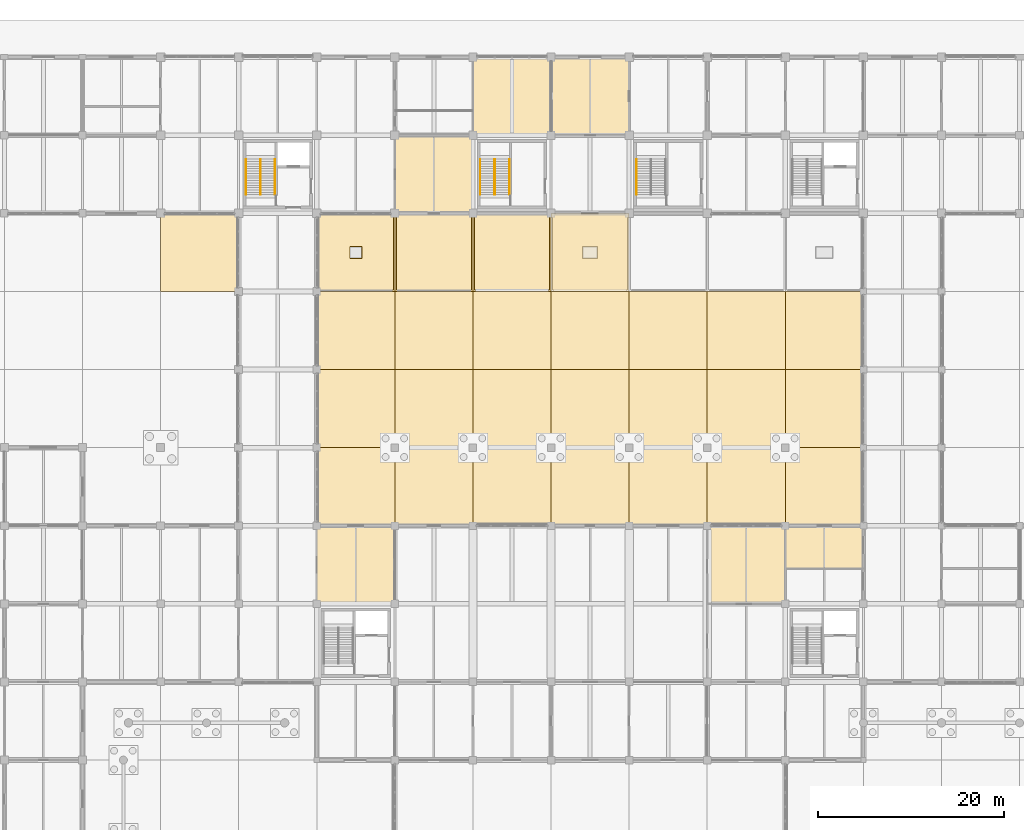
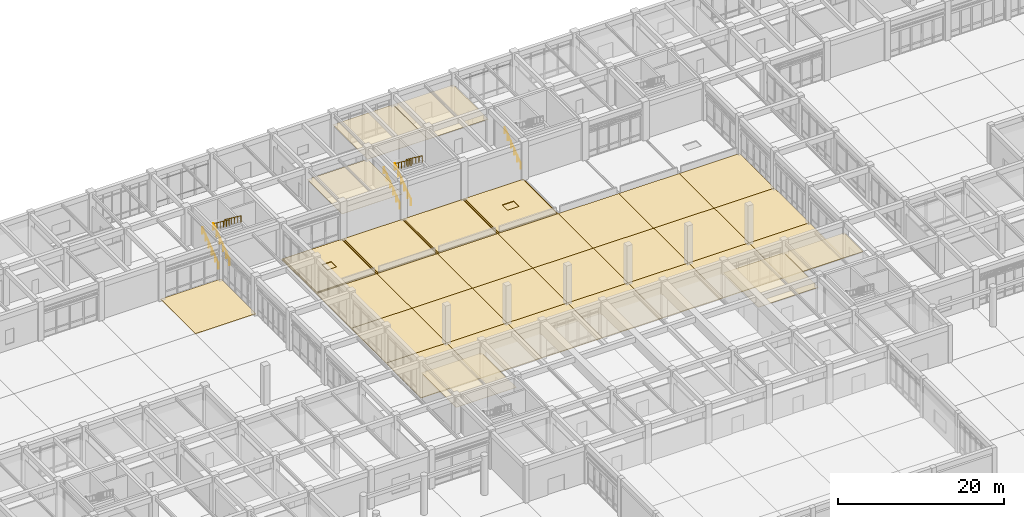
# One storey, part 88 of 91: 36 coverings, 9 railings.
"""IFC4 building model written with IfcOpenShell, lengths in metres."""

import ifcopenshell
import ifcopenshell.guid

model = None  # the IFC model being written
_history = None  # IfcOwnerHistory: only IFC2X3 demands one
_inside = {}  # id of a spatial element -> (the spatial element, [elements in it])
_under = {}  # id of a project, library or spatial element -> (it, [spatial elements below it])
_declared = {}  # id of a project -> (the project, [libraries it declares])
_typed = {}  # id of a type object -> (the type object, [elements of that type])
_made_of = {}  # id of a material, layer set ... -> (it, [elements and type objects made of it])


def new_model(schema):
    """Start an empty IFC model of exactly this schema.

    Asked for "IFC4X3", IfcOpenShell would pick the latest addendum, in which some entities
    have other attributes; the version numbers below select the first issue.
    IFC2X3 requires an IfcOwnerHistory on every rooted entity: one is made here for all.
    """
    global model, _history
    if schema == "IFC4X3":
        model = ifcopenshell.file(schema_version=(4, 3, 0, 0))
    else:
        model = ifcopenshell.file(schema=schema)
    _inside.clear()
    _under.clear()
    _declared.clear()
    _typed.clear()
    _made_of.clear()
    _history = None
    if model.schema == "IFC2X3":
        org = make("IfcOrganization", Name="unknown")
        user = make(
            "IfcPersonAndOrganization",
            ThePerson=make("IfcPerson", FamilyName="unknown"),
            TheOrganization=org,
        )
        app = make(
            "IfcApplication",
            ApplicationDeveloper=org,
            Version="unknown",
            ApplicationFullName="unknown",
            ApplicationIdentifier="unknown",
        )
        _history = make(
            "IfcOwnerHistory",
            OwningUser=user,
            OwningApplication=app,
            ChangeAction="ADDED",
            CreationDate=0,
        )
    return model


def make(cls, **values):
    """One entity of the class cls with the attributes given. An attribute that is None is left unset."""
    return model.create_entity(
        cls, **{name: value for name, value in values.items() if value is not None}
    )


def rooted(cls, **values):
    """An entity with a GlobalId (a new one), such as an element, a storey or a relation."""
    return make(cls, GlobalId=ifcopenshell.guid.new(), OwnerHistory=_history, **values)


def si_unit(unit_type, name, prefix=None):
    """IfcSIUnit, for example si_unit("LENGTHUNIT", "METRE", prefix="MILLI")."""
    return make("IfcSIUnit", UnitType=unit_type, Prefix=prefix, Name=name)


def assignment(units):
    """IfcUnitAssignment: the units of a project."""
    return None if units is None else make("IfcUnitAssignment", Units=units)


def point(xyz):
    """IfcCartesianPoint."""
    return None if xyz is None else make("IfcCartesianPoint", Coordinates=xyz)


def direction(xyz):
    """IfcDirection."""
    return None if xyz is None else make("IfcDirection", DirectionRatios=xyz)


def frame(location, z_axis=None, x_axis=None):
    """IfcAxis2Placement3D, a coordinate frame: its origin and axes. An axis left out is left unset."""
    return make(
        "IfcAxis2Placement3D",
        Location=point(location),
        Axis=direction(z_axis),
        RefDirection=direction(x_axis),
    )


def frame_2d(location, x_axis=None):
    """IfcAxis2Placement2D, a coordinate frame in the plane: its origin and x axis."""
    return make(
        "IfcAxis2Placement2D", Location=point(location), RefDirection=direction(x_axis)
    )


def origin():
    """The frame at (0, 0, 0) with its axes left unset."""
    return frame((0.0, 0.0, 0.0))


def origin_2d():
    """The frame at (0, 0) in the plane with its x axis left unset."""
    return frame_2d((0.0, 0.0))


def place(relative_to, where):
    """IfcLocalPlacement: puts the frame where relative to a parent placement (None: the world)."""
    return make(
        "IfcLocalPlacement", PlacementRelTo=relative_to, RelativePlacement=where
    )


def context(
    kind, dimensions, precision=None, world=None, true_north=None, identifier=None
):
    """IfcGeometricRepresentationContext, for example the 3D "Model" context."""
    return make(
        "IfcGeometricRepresentationContext",
        ContextIdentifier=identifier,
        ContextType=kind,
        CoordinateSpaceDimension=dimensions,
        Precision=precision,
        WorldCoordinateSystem=world,
        TrueNorth=true_north,
    )


def subcontext(parent, identifier, kind, view, scale=None):
    """IfcGeometricRepresentationSubContext, for example "Body" below "Model"."""
    return make(
        "IfcGeometricRepresentationSubContext",
        ContextIdentifier=identifier,
        ContextType=kind,
        ParentContext=parent,
        TargetScale=scale,
        TargetView=view,
    )


def project(units=None, contexts=None):
    """IfcProject with its units and contexts."""
    return rooted(
        "IfcProject",
        Name="project",
        RepresentationContexts=contexts,
        UnitsInContext=assignment(units),
    )


def spatial(cls, under=None, at=None, **own):
    """A site, building, storey or space (cls), placed at a placement, below another one or the project."""
    s = rooted(cls, ObjectPlacement=at, **own)
    if under is not None:
        _under.setdefault(under.id(), (under, []))[1].append(s)
    return s


def polyline(points):
    """IfcPolyline through the points."""
    return make("IfcPolyline", Points=[point(p) for p in points])


def profile(cls, at=None, kind="AREA", **sizes):
    """A parametric profile (cls). Its sizes go by their IFC names, for example OverallWidth=200.0."""
    return make(cls, ProfileType=kind, Position=at, **sizes)


def circle(**sizes):
    """IfcCircleProfileDef."""
    return profile("IfcCircleProfileDef", **sizes)


def outline(outer, holes=None, kind="AREA"):
    """IfcArbitraryClosedProfileDef: a profile drawn as a closed curve; with holes, ...WithVoids."""
    if holes is None:
        return make("IfcArbitraryClosedProfileDef", ProfileType=kind, OuterCurve=outer)
    return make(
        "IfcArbitraryProfileDefWithVoids",
        ProfileType=kind,
        OuterCurve=outer,
        InnerCurves=holes,
    )


def extrude(swept, where, along, depth):
    """IfcExtrudedAreaSolid: the profile swept, set in the frame where, extruded along a direction by depth."""
    return make(
        "IfcExtrudedAreaSolid",
        SweptArea=swept,
        Position=where,
        ExtrudedDirection=direction(along),
        Depth=depth,
    )


def shape(context_of_items, identifier, shape_type, items):
    """IfcShapeRepresentation: the items that make up one representation, for example the "Body"."""
    return make(
        "IfcShapeRepresentation",
        ContextOfItems=context_of_items,
        RepresentationIdentifier=identifier,
        RepresentationType=shape_type,
        Items=items,
    )


def material(Name=None, Category=None):
    """IfcMaterial."""
    return make("IfcMaterial", Name=Name, Category=Category)


def layer(
    of_material, thickness, ventilated=None, Name=None, Category=None, Priority=None
):
    """IfcMaterialLayer: one layer of a wall or slab, of a material (None: an air gap)."""
    return make(
        "IfcMaterialLayer",
        Material=of_material,
        LayerThickness=thickness,
        IsVentilated=ventilated,
        Name=Name,
        Category=Category,
        Priority=Priority,
    )


def layer_set(layers, Name=None):
    """IfcMaterialLayerSet."""
    return make("IfcMaterialLayerSet", MaterialLayers=layers, LayerSetName=Name)


def made_of(thing, what):
    """Note that an element or type object is made of a material, layer set ...; save() writes the relation."""
    if what is not None:
        _made_of.setdefault(what.id(), (what, []))[1].append(thing)
    return thing


def type_object(cls, material=None, **own):
    """A type object (cls), such as IfcWallType, which elements share."""
    return made_of(rooted(cls, **own), material)


def element(
    cls,
    number,
    at=None,
    inside=None,
    cuts=None,
    type_object=None,
    material=None,
    context=None,
    identifier="Body",
    shape_type=None,
    held_by="IfcProductDefinitionShape",
    body=None,
    shapes=None,
    **own,
):
    """One element of the class cls, such as IfcWall. Its Tag is "e" and its number.

    at: its placement. inside: the storey or other place that contains it. cuts: it is an
    opening in that element (IfcRelVoidsElement). A single representation is given by context,
    identifier, shape_type and body (its items); several are given by shapes. held_by: the class
    of the entity that holds the representations. save() writes the other relations.
    """
    e = rooted(cls, Tag="e%d" % number, ObjectPlacement=at, **own)
    if body is not None:
        shapes = [shape(context, identifier, shape_type, body)]
    if shapes is not None:
        e.Representation = make(held_by, Representations=shapes)
    if inside is not None:
        _inside.setdefault(inside.id(), (inside, []))[1].append(e)
    if cuts is not None:
        rooted(
            "IfcRelVoidsElement", RelatingBuildingElement=cuts, RelatedOpeningElement=e
        )
    if type_object is not None:
        _typed.setdefault(type_object.id(), (type_object, []))[1].append(e)
    return made_of(e, material)


def aggregate(whole, parts):
    """IfcRelAggregates: a whole, such as a stair, and the parts it consists of."""
    return rooted("IfcRelAggregates", RelatingObject=whole, RelatedObjects=parts)


def save(model, path):
    """Write the relations noted so far, then the file.

    IfcRelAggregates (storeys below a building ...), IfcRelContainedInSpatialStructure (elements
    in a storey), IfcRelDefinesByType, IfcRelAssociatesMaterial and IfcRelDeclares: one each for
    every whole, place, type object, material and project.
    """
    for whole, parts in _under.values():
        aggregate(whole, parts)
    for where, things in _inside.values():
        rooted(
            "IfcRelContainedInSpatialStructure",
            RelatedElements=things,
            RelatingStructure=where,
        )
    for kind, things in _typed.values():
        rooted("IfcRelDefinesByType", RelatedObjects=things, RelatingType=kind)
    for what, things in _made_of.values():
        rooted("IfcRelAssociatesMaterial", RelatedObjects=things, RelatingMaterial=what)
    for by, libraries in _declared.values():
        rooted("IfcRelDeclares", RelatingContext=by, RelatedDefinitions=libraries)
    model.write(path)


model = new_model("IFC4")

# Units and contexts
model_context = context("Model", 3, precision=1e-05, world=origin(), true_north=direction((0.0, 1.0)))
body_context = subcontext(model_context, "Body", "Model", "MODEL_VIEW")
ifc_project = project(units=[si_unit("LENGTHUNIT", "METRE"), si_unit("AREAUNIT", "SQUARE_METRE"), si_unit("VOLUMEUNIT", "CUBIC_METRE"), si_unit("PLANEANGLEUNIT", "RADIAN"), si_unit("MASSUNIT", "GRAM", prefix="KILO")], contexts=[model_context])

# Site, building, storey
site_placement = place(None, origin())
site = spatial("IfcSite", under=ifc_project, at=site_placement, CompositionType="ELEMENT")
building_placement = place(site_placement, origin())
building = spatial("IfcBuilding", under=site, at=building_placement, Name="Porcellanite Civic Hall", CompositionType="ELEMENT")
storey_placement = place(building_placement, origin())
storey = spatial("IfcBuildingStorey", under=building, at=storey_placement, Name="L00", CompositionType="ELEMENT", Elevation=0.0)

# Coverings
ifc_material_1 = material(Name="Perforated acoustic mineral-fibre and spotted-gum batten ceiling")
ifc_layer_1 = layer(ifc_material_1, 0.044921875)
ifc_layer_set_1 = layer_set([ifc_layer_1], Name="Perforated acoustic mineral-fibre and spotted-gum batten ceiling")
covering_type_1 = type_object("IfcCoveringType", Name="COV-CL3", PredefinedType="CEILING", material=ifc_layer_set_1)
covering_1_placement = place(storey_placement, frame((0.0, 0.0, 3.614990234375)))
element("IfcCovering", 1, at=covering_1_placement, inside=storey, type_object=covering_type_1, Name="Acoustic ceiling Rates Assessment Office L00-B", PredefinedType="CEILING", context=body_context, shape_type="SweptSolid", body=[
    extrude(outline(polyline([(109.2099609375, 62.610107421875), (117.590087890625, 62.610107421875), (117.590087890625, 67.18994140625), (109.2099609375, 67.18994140625), (109.2099609375, 62.610107421875)])), origin(), (0.0, 0.0, 1.0), 0.044921875),
])
covering_2_placement = place(storey_placement, frame((0.0, 0.0, 3.614990234375)))
element("IfcCovering", 2, at=covering_2_placement, inside=storey, type_object=covering_type_1, Name="Acoustic ceiling Civic Outreach Office L00-43", PredefinedType="CEILING", context=body_context, shape_type="SweptSolid", body=[
    extrude(outline(polyline([(58.81005859375, 58.81005859375), (67.18994140625, 58.81005859375), (67.18994140625, 67.18994140625), (58.81005859375, 67.18994140625), (58.81005859375, 58.81005859375)])), origin(), (0.0, 0.0, 1.0), 0.044921875),
])
covering_3_placement = place(storey_placement, frame((0.0, 0.0, 3.614990234375)))
element("IfcCovering", 3, at=covering_3_placement, inside=storey, type_object=covering_type_1, Name="Acoustic ceiling City Ranger Operations L00-47", PredefinedType="CEILING", context=body_context, shape_type="SweptSolid", body=[
    extrude(outline(polyline([(67.2099609375, 100.81005859375), (75.590087890625, 100.81005859375), (75.590087890625, 109.18994140625), (67.2099609375, 109.18994140625), (67.2099609375, 100.81005859375)])), origin(), (0.0, 0.0, 1.0), 0.044921875),
])
covering_4_placement = place(storey_placement, frame((0.0, 0.0, 3.614990234375)))
element("IfcCovering", 4, at=covering_4_placement, inside=storey, type_object=covering_type_1, Name="Acoustic ceiling Community Grants Office L00-49", PredefinedType="CEILING", context=body_context, shape_type="SweptSolid", body=[
    extrude(outline(polyline([(75.610107421875, 109.2099609375), (83.989990234375, 109.2099609375), (83.989990234375, 117.590087890625), (75.610107421875, 117.590087890625), (75.610107421875, 109.2099609375)])), origin(), (0.0, 0.0, 1.0), 0.044921875),
])
covering_5_placement = place(storey_placement, frame((0.0, 0.0, 3.614990234375)))
element("IfcCovering", 5, at=covering_5_placement, inside=storey, type_object=covering_type_1, Name="Acoustic ceiling City Ranger Operations L00-52", PredefinedType="CEILING", context=body_context, shape_type="SweptSolid", body=[
    extrude(outline(polyline([(84.010009765625, 109.2099609375), (92.389892578125, 109.2099609375), (92.389892578125, 117.590087890625), (84.010009765625, 117.590087890625), (84.010009765625, 109.2099609375)])), origin(), (0.0, 0.0, 1.0), 0.044921875),
])
covering_6_placement = place(storey_placement, frame((0.0, 0.0, 3.614990234375)))
element("IfcCovering", 6, at=covering_6_placement, inside=storey, type_object=covering_type_1, Name="Acoustic ceiling Civic Registry Office L00-57", PredefinedType="CEILING", context=body_context, shape_type="SweptSolid", body=[
    extrude(outline(polyline([(100.81005859375, 58.81005859375), (109.18994140625, 58.81005859375), (109.18994140625, 67.18994140625), (100.81005859375, 67.18994140625), (100.81005859375, 58.81005859375)])), origin(), (0.0, 0.0, 1.0), 0.044921875),
])
ifc_material_2 = material(Name="Darwin porcellanite stone paving", Category="masonry")
ifc_layer_2 = layer(ifc_material_2, 0.10009765625)
ifc_layer_set_2 = layer_set([ifc_layer_2], Name="Darwin porcellanite stone paving")
covering_type_2 = type_object("IfcCoveringType", Name="COV-PAV100", PredefinedType="USERDEFINED", material=ifc_layer_set_2)
covering_7_placement = place(storey_placement, frame((0.0, 0.0, -0.10009765625)))
element("IfcCovering", 7, at=covering_7_placement, inside=storey, type_object=covering_type_2, Name="Porcellanite Square paving 6-12", ObjectType="PAVING", PredefinedType="USERDEFINED", context=body_context, shape_type="SweptSolid", body=[
    extrude(outline(polyline([(42.0, 92.39990234375), (50.39990234375, 92.39990234375), (50.39990234375, 100.800048828125), (42.0, 100.800048828125), (42.0, 92.39990234375)])), origin(), (0.0, 0.0, 1.0), 0.10009765625),
])
covering_8_placement = place(storey_placement, frame((0.0, 0.0, -0.10009765625)))
element("IfcCovering", 8, at=covering_8_placement, inside=storey, type_object=covering_type_2, Name="Porcellanite Square paving 8-9", ObjectType="PAVING", PredefinedType="USERDEFINED", context=body_context, shape_type="SweptSolid", body=[
    extrude(outline(polyline([(58.800048828125, 67.199951171875), (67.199951171875, 67.199951171875), (67.199951171875, 75.60009765625), (58.800048828125, 75.60009765625), (58.800048828125, 67.199951171875)])), origin(), (0.0, 0.0, 1.0), 0.10009765625),
])
covering_9_placement = place(storey_placement, frame((0.0, 0.0, -0.10009765625)))
element("IfcCovering", 9, at=covering_9_placement, inside=storey, type_object=covering_type_2, Name="Porcellanite Square paving 8-10", ObjectType="PAVING", PredefinedType="USERDEFINED", context=body_context, shape_type="SweptSolid", body=[
    extrude(outline(polyline([(58.800048828125, 75.60009765625), (67.199951171875, 75.60009765625), (67.199951171875, 84.0), (58.800048828125, 84.0), (58.800048828125, 75.60009765625)])), origin(), (0.0, 0.0, 1.0), 0.10009765625),
])
covering_10_placement = place(storey_placement, frame((0.0, 0.0, -0.10009765625)))
element("IfcCovering", 10, at=covering_10_placement, inside=storey, type_object=covering_type_2, Name="Porcellanite Square paving 8-11", ObjectType="PAVING", PredefinedType="USERDEFINED", context=body_context, shape_type="SweptSolid", body=[
    extrude(outline(polyline([(58.800048828125, 84.0), (67.199951171875, 84.0), (67.199951171875, 92.39990234375), (58.800048828125, 92.39990234375), (58.800048828125, 84.0)])), origin(), (0.0, 0.0, 1.0), 0.10009765625),
])
covering_11_placement = place(storey_placement, frame((0.0, 0.0, -0.10009765625)))
element("IfcCovering", 11, at=covering_11_placement, inside=storey, type_object=covering_type_2, Name="Porcellanite Square paving 8-12", ObjectType="PAVING", PredefinedType="USERDEFINED", context=body_context, shape_type="SweptSolid", body=[
    extrude(outline(polyline([(58.800048828125, 92.39990234375), (67.199951171875, 92.39990234375), (67.199951171875, 100.800048828125), (58.800048828125, 100.800048828125), (58.800048828125, 92.39990234375)])), origin(), (0.0, 0.0, 1.0), 0.10009765625),
])
covering_12_placement = place(storey_placement, frame((0.0, 0.0, -0.10009765625)))
element("IfcCovering", 12, at=covering_12_placement, inside=storey, type_object=covering_type_2, Name="Porcellanite Square paving 9-9", ObjectType="PAVING", PredefinedType="USERDEFINED", context=body_context, shape_type="SweptSolid", body=[
    extrude(outline(polyline([(67.199951171875, 67.199951171875), (75.60009765625, 67.199951171875), (75.60009765625, 75.60009765625), (67.199951171875, 75.60009765625), (67.199951171875, 67.199951171875)])), origin(), (0.0, 0.0, 1.0), 0.10009765625),
])
covering_13_placement = place(storey_placement, frame((0.0, 0.0, -0.10009765625)))
element("IfcCovering", 13, at=covering_13_placement, inside=storey, type_object=covering_type_2, Name="Porcellanite Square paving 9-10", ObjectType="PAVING", PredefinedType="USERDEFINED", context=body_context, shape_type="SweptSolid", body=[
    extrude(outline(polyline([(67.199951171875, 75.60009765625), (75.60009765625, 75.60009765625), (75.60009765625, 84.0), (67.199951171875, 84.0), (67.199951171875, 75.60009765625)])), origin(), (0.0, 0.0, 1.0), 0.10009765625),
])
covering_14_placement = place(storey_placement, frame((0.0, 0.0, -0.10009765625)))
element("IfcCovering", 14, at=covering_14_placement, inside=storey, type_object=covering_type_2, Name="Porcellanite Square paving 9-11", ObjectType="PAVING", PredefinedType="USERDEFINED", context=body_context, shape_type="SweptSolid", body=[
    extrude(outline(polyline([(67.199951171875, 84.0), (75.60009765625, 84.0), (75.60009765625, 92.39990234375), (67.199951171875, 92.39990234375), (67.199951171875, 84.0)])), origin(), (0.0, 0.0, 1.0), 0.10009765625),
])
covering_15_placement = place(storey_placement, frame((0.0, 0.0, -0.10009765625)))
element("IfcCovering", 15, at=covering_15_placement, inside=storey, type_object=covering_type_2, Name="Porcellanite Square paving 9-12", ObjectType="PAVING", PredefinedType="USERDEFINED", context=body_context, shape_type="SweptSolid", body=[
    extrude(outline(polyline([(67.199951171875, 92.39990234375), (75.60009765625, 92.39990234375), (75.60009765625, 100.800048828125), (67.199951171875, 100.800048828125), (67.199951171875, 92.39990234375)])), origin(), (0.0, 0.0, 1.0), 0.10009765625),
])
covering_16_placement = place(storey_placement, frame((0.0, 0.0, -0.10009765625)))
element("IfcCovering", 16, at=covering_16_placement, inside=storey, type_object=covering_type_2, Name="Porcellanite Square paving 10-9", ObjectType="PAVING", PredefinedType="USERDEFINED", context=body_context, shape_type="SweptSolid", body=[
    extrude(outline(polyline([(75.60009765625, 67.199951171875), (84.0, 67.199951171875), (84.0, 75.60009765625), (75.60009765625, 75.60009765625), (75.60009765625, 67.199951171875)])), origin(), (0.0, 0.0, 1.0), 0.10009765625),
])
covering_17_placement = place(storey_placement, frame((0.0, 0.0, -0.10009765625)))
element("IfcCovering", 17, at=covering_17_placement, inside=storey, type_object=covering_type_2, Name="Porcellanite Square paving 10-10", ObjectType="PAVING", PredefinedType="USERDEFINED", context=body_context, shape_type="SweptSolid", body=[
    extrude(outline(polyline([(75.60009765625, 75.60009765625), (84.0, 75.60009765625), (84.0, 84.0), (75.60009765625, 84.0), (75.60009765625, 75.60009765625)])), origin(), (0.0, 0.0, 1.0), 0.10009765625),
])
covering_18_placement = place(storey_placement, frame((0.0, 0.0, -0.10009765625)))
element("IfcCovering", 18, at=covering_18_placement, inside=storey, type_object=covering_type_2, Name="Porcellanite Square paving 10-11", ObjectType="PAVING", PredefinedType="USERDEFINED", context=body_context, shape_type="SweptSolid", body=[
    extrude(outline(polyline([(75.60009765625, 84.0), (84.0, 84.0), (84.0, 92.39990234375), (75.60009765625, 92.39990234375), (75.60009765625, 84.0)])), origin(), (0.0, 0.0, 1.0), 0.10009765625),
])
covering_19_placement = place(storey_placement, frame((0.0, 0.0, -0.10009765625)))
element("IfcCovering", 19, at=covering_19_placement, inside=storey, type_object=covering_type_2, Name="Porcellanite Square paving 10-12", ObjectType="PAVING", PredefinedType="USERDEFINED", context=body_context, shape_type="SweptSolid", body=[
    extrude(outline(polyline([(75.60009765625, 92.39990234375), (84.0, 92.39990234375), (84.0, 100.800048828125), (75.60009765625, 100.800048828125), (75.60009765625, 92.39990234375)])), origin(), (0.0, 0.0, 1.0), 0.10009765625),
])
covering_20_placement = place(storey_placement, frame((0.0, 0.0, -0.10009765625)))
element("IfcCovering", 20, at=covering_20_placement, inside=storey, type_object=covering_type_2, Name="Porcellanite Square paving 11-9", ObjectType="PAVING", PredefinedType="USERDEFINED", context=body_context, shape_type="SweptSolid", body=[
    extrude(outline(polyline([(84.0, 67.199951171875), (92.39990234375, 67.199951171875), (92.39990234375, 75.60009765625), (84.0, 75.60009765625), (84.0, 67.199951171875)])), origin(), (0.0, 0.0, 1.0), 0.10009765625),
])
covering_21_placement = place(storey_placement, frame((0.0, 0.0, -0.10009765625)))
element("IfcCovering", 21, at=covering_21_placement, inside=storey, type_object=covering_type_2, Name="Porcellanite Square paving 11-10", ObjectType="PAVING", PredefinedType="USERDEFINED", context=body_context, shape_type="SweptSolid", body=[
    extrude(outline(polyline([(84.0, 75.60009765625), (92.39990234375, 75.60009765625), (92.39990234375, 84.0), (84.0, 84.0), (84.0, 75.60009765625)])), origin(), (0.0, 0.0, 1.0), 0.10009765625),
])
covering_22_placement = place(storey_placement, frame((0.0, 0.0, -0.10009765625)))
element("IfcCovering", 22, at=covering_22_placement, inside=storey, type_object=covering_type_2, Name="Porcellanite Square paving 11-11", ObjectType="PAVING", PredefinedType="USERDEFINED", context=body_context, shape_type="SweptSolid", body=[
    extrude(outline(polyline([(84.0, 84.0), (92.39990234375, 84.0), (92.39990234375, 92.39990234375), (84.0, 92.39990234375), (84.0, 84.0)])), origin(), (0.0, 0.0, 1.0), 0.10009765625),
])
covering_23_placement = place(storey_placement, frame((0.0, 0.0, -0.10009765625)))
element("IfcCovering", 23, at=covering_23_placement, inside=storey, type_object=covering_type_2, Name="Porcellanite Square paving 11-12", ObjectType="PAVING", PredefinedType="USERDEFINED", context=body_context, shape_type="SweptSolid", body=[
    extrude(outline(polyline([(84.0, 92.39990234375), (92.39990234375, 92.39990234375), (92.39990234375, 100.800048828125), (84.0, 100.800048828125), (84.0, 92.39990234375)])), origin(), (0.0, 0.0, 1.0), 0.10009765625),
])
covering_24_placement = place(storey_placement, frame((0.0, 0.0, -0.10009765625)))
element("IfcCovering", 24, at=covering_24_placement, inside=storey, type_object=covering_type_2, Name="Porcellanite Square paving 12-9", ObjectType="PAVING", PredefinedType="USERDEFINED", context=body_context, shape_type="SweptSolid", body=[
    extrude(outline(polyline([(92.39990234375, 67.199951171875), (100.800048828125, 67.199951171875), (100.800048828125, 75.60009765625), (92.39990234375, 75.60009765625), (92.39990234375, 67.199951171875)])), origin(), (0.0, 0.0, 1.0), 0.10009765625),
])
covering_25_placement = place(storey_placement, frame((0.0, 0.0, -0.10009765625)))
element("IfcCovering", 25, at=covering_25_placement, inside=storey, type_object=covering_type_2, Name="Porcellanite Square paving 12-10", ObjectType="PAVING", PredefinedType="USERDEFINED", context=body_context, shape_type="SweptSolid", body=[
    extrude(outline(polyline([(92.39990234375, 75.60009765625), (100.800048828125, 75.60009765625), (100.800048828125, 84.0), (92.39990234375, 84.0), (92.39990234375, 75.60009765625)])), origin(), (0.0, 0.0, 1.0), 0.10009765625),
])
covering_26_placement = place(storey_placement, frame((0.0, 0.0, -0.10009765625)))
element("IfcCovering", 26, at=covering_26_placement, inside=storey, type_object=covering_type_2, Name="Porcellanite Square paving 12-11", ObjectType="PAVING", PredefinedType="USERDEFINED", context=body_context, shape_type="SweptSolid", body=[
    extrude(outline(polyline([(92.39990234375, 84.0), (100.800048828125, 84.0), (100.800048828125, 92.39990234375), (92.39990234375, 92.39990234375), (92.39990234375, 84.0)])), origin(), (0.0, 0.0, 1.0), 0.10009765625),
])
covering_27_placement = place(storey_placement, frame((0.0, 0.0, -0.10009765625)))
element("IfcCovering", 27, at=covering_27_placement, inside=storey, type_object=covering_type_2, Name="Porcellanite Square paving 13-9", ObjectType="PAVING", PredefinedType="USERDEFINED", context=body_context, shape_type="SweptSolid", body=[
    extrude(outline(polyline([(100.800048828125, 67.199951171875), (109.199951171875, 67.199951171875), (109.199951171875, 75.60009765625), (100.800048828125, 75.60009765625), (100.800048828125, 67.199951171875)])), origin(), (0.0, 0.0, 1.0), 0.10009765625),
])
covering_28_placement = place(storey_placement, frame((0.0, 0.0, -0.10009765625)))
element("IfcCovering", 28, at=covering_28_placement, inside=storey, type_object=covering_type_2, Name="Porcellanite Square paving 13-10", ObjectType="PAVING", PredefinedType="USERDEFINED", context=body_context, shape_type="SweptSolid", body=[
    extrude(outline(polyline([(100.800048828125, 75.60009765625), (109.199951171875, 75.60009765625), (109.199951171875, 84.0), (100.800048828125, 84.0), (100.800048828125, 75.60009765625)])), origin(), (0.0, 0.0, 1.0), 0.10009765625),
])
covering_29_placement = place(storey_placement, frame((0.0, 0.0, -0.10009765625)))
element("IfcCovering", 29, at=covering_29_placement, inside=storey, type_object=covering_type_2, Name="Porcellanite Square paving 13-11", ObjectType="PAVING", PredefinedType="USERDEFINED", context=body_context, shape_type="SweptSolid", body=[
    extrude(outline(polyline([(100.800048828125, 84.0), (109.199951171875, 84.0), (109.199951171875, 92.39990234375), (100.800048828125, 92.39990234375), (100.800048828125, 84.0)])), origin(), (0.0, 0.0, 1.0), 0.10009765625),
])
covering_30_placement = place(storey_placement, frame((0.0, 0.0, -0.10009765625)))
element("IfcCovering", 30, at=covering_30_placement, inside=storey, type_object=covering_type_2, Name="Porcellanite Square paving 14-9", ObjectType="PAVING", PredefinedType="USERDEFINED", context=body_context, shape_type="SweptSolid", body=[
    extrude(outline(polyline([(109.199951171875, 67.199951171875), (117.60009765625, 67.199951171875), (117.60009765625, 75.60009765625), (109.199951171875, 75.60009765625), (109.199951171875, 67.199951171875)])), origin(), (0.0, 0.0, 1.0), 0.10009765625),
])
covering_31_placement = place(storey_placement, frame((0.0, 0.0, -0.10009765625)))
element("IfcCovering", 31, at=covering_31_placement, inside=storey, type_object=covering_type_2, Name="Porcellanite Square paving 14-10", ObjectType="PAVING", PredefinedType="USERDEFINED", context=body_context, shape_type="SweptSolid", body=[
    extrude(outline(polyline([(109.199951171875, 75.60009765625), (117.60009765625, 75.60009765625), (117.60009765625, 84.0), (109.199951171875, 84.0), (109.199951171875, 75.60009765625)])), origin(), (0.0, 0.0, 1.0), 0.10009765625),
])
covering_32_placement = place(storey_placement, frame((0.0, 0.0, -0.10009765625)))
element("IfcCovering", 32, at=covering_32_placement, inside=storey, type_object=covering_type_2, Name="Porcellanite Square paving 14-11", ObjectType="PAVING", PredefinedType="USERDEFINED", context=body_context, shape_type="SweptSolid", body=[
    extrude(outline(polyline([(109.199951171875, 84.0), (117.60009765625, 84.0), (117.60009765625, 92.39990234375), (109.199951171875, 92.39990234375), (109.199951171875, 84.0)])), origin(), (0.0, 0.0, 1.0), 0.10009765625),
])
ifc_material_3 = material(Name="Insulated light-reflective TPO monsoon roofing membrane")
ifc_layer_3 = layer(ifc_material_3, 0.080078125)
ifc_layer_set_3 = layer_set([ifc_layer_3], Name="Insulated light-reflective TPO monsoon roofing membrane")
covering_type_3 = type_object("IfcCoveringType", Name="COV-RF1", PredefinedType="ROOFING", material=ifc_layer_set_3)
covering_33_placement = place(storey_placement, origin())
element("IfcCovering", 33, at=covering_33_placement, inside=storey, type_object=covering_type_3, Name="Roof membrane L00 8-12", PredefinedType="ROOFING", context=body_context, shape_type="SweptSolid", body=[
    extrude(outline(polyline([(58.949951171875, 92.550048828125), (67.050048828125, 92.550048828125), (67.050048828125, 100.64990234375), (58.949951171875, 100.64990234375), (58.949951171875, 92.550048828125)]), holes=[polyline([(62.35009765625, 95.949951171875), (63.64990234375, 95.949951171875), (63.64990234375, 97.25), (62.35009765625, 97.25), (62.35009765625, 95.949951171875)])]), origin(), (0.0, 0.0, 1.0), 0.080078125),
])
covering_34_placement = place(storey_placement, origin())
element("IfcCovering", 34, at=covering_34_placement, inside=storey, type_object=covering_type_3, Name="Roof membrane L00 11-12", PredefinedType="ROOFING", context=body_context, shape_type="SweptSolid", body=[
    extrude(outline(polyline([(84.14990234375, 92.550048828125), (92.25, 92.550048828125), (92.25, 100.64990234375), (84.14990234375, 100.64990234375), (84.14990234375, 92.550048828125)]), holes=[polyline([(87.39990234375, 95.949951171875), (89.0, 95.949951171875), (89.0, 97.25), (87.39990234375, 97.25), (87.39990234375, 95.949951171875)])]), origin(), (0.0, 0.0, 1.0), 0.080078125),
])
ifc_material_4 = material(Name="Insulated light-reflective TPO monsoon roofing membrane")
ifc_layer_4 = layer(ifc_material_4, 0.070068359375)
ifc_layer_set_4 = layer_set([ifc_layer_4], Name="Insulated light-reflective TPO monsoon roofing membrane")
covering_type_4 = type_object("IfcCoveringType", Name="COV-RF2", PredefinedType="ROOFING", material=ifc_layer_set_4)
covering_35_placement = place(storey_placement, origin())
element("IfcCovering", 35, at=covering_35_placement, inside=storey, type_object=covering_type_4, Name="Roof membrane L00 9-12", PredefinedType="ROOFING", context=body_context, shape_type="SweptSolid", body=[
    extrude(outline(polyline([(67.35009765625, 92.550048828125), (75.449951171875, 92.550048828125), (75.449951171875, 100.64990234375), (67.35009765625, 100.64990234375), (67.35009765625, 92.550048828125)])), origin(), (0.0, 0.0, 1.0), 0.070068359375),
])
ifc_material_5 = material(Name="Insulated light-reflective TPO monsoon roofing membrane")
ifc_layer_5 = layer(ifc_material_5, 0.06005859375)
ifc_layer_set_5 = layer_set([ifc_layer_5], Name="Insulated light-reflective TPO monsoon roofing membrane")
covering_type_5 = type_object("IfcCoveringType", Name="COV-RF3", PredefinedType="ROOFING", material=ifc_layer_set_5)
covering_36_placement = place(storey_placement, origin())
element("IfcCovering", 36, at=covering_36_placement, inside=storey, type_object=covering_type_5, Name="Roof membrane L00 10-12", PredefinedType="ROOFING", context=body_context, shape_type="SweptSolid", body=[
    extrude(outline(polyline([(75.75, 92.550048828125), (83.85009765625, 92.550048828125), (83.85009765625, 100.64990234375), (75.75, 100.64990234375), (75.75, 92.550048828125)])), origin(), (0.0, 0.0, 1.0), 0.06005859375),
])

# Railings
ifc_material_6 = material(Name="Brushed stainless steel 316", Category="steel")
railing_type_1 = type_object("IfcRailingType", Name="RL-HR920", PredefinedType="HANDRAIL", material=ifc_material_6)
railing_1_placement = place(storey_placement, frame((51.18505859375, 102.800048828125, 0.0)))
element("IfcRailing", 37, at=railing_1_placement, inside=storey, type_object=railing_type_1, Name="Stair handrail ST-03 L00 1", PredefinedType="HANDRAIL", context=body_context, shape_type="SweptSolid", body=[
    extrude(circle(Radius=0.02197265625, at=origin_2d()), frame((0.0, 0.0, 0.89794921875), z_axis=(0.0, 0.798878840457, 0.601491976896), x_axis=(-1.0, 0.0, 0.0)), (0.0, 0.0, 1.0), 4.787841796875),
    extrude(circle(Radius=0.01904296875, at=origin_2d()), origin(), (0.0, 0.0, 1.0), 0.8759765625),
    extrude(circle(Radius=0.01904296875, at=origin_2d()), frame((0.0, 0.764892578125, 0.575927734375)), (0.0, 0.0, 1.0), 0.8759765625),
    extrude(circle(Radius=0.01904296875, at=origin_2d()), frame((0.0, 1.530029296875, 1.15185546875)), (0.0, 0.0, 1.0), 0.8759765625),
    extrude(circle(Radius=0.01904296875, at=origin_2d()), frame((0.0, 2.294921875, 1.72802734375)), (0.0, 0.0, 1.0), 0.8759765625),
    extrude(circle(Radius=0.01904296875, at=origin_2d()), frame((0.0, 3.06005859375, 2.303955078125)), (0.0, 0.0, 1.0), 0.8759765625),
    extrude(circle(Radius=0.01904296875, at=origin_2d()), frame((0.0, 3.824951171875, 2.8798828125)), (0.0, 0.0, 1.0), 0.8759765625),
])
railing_2_placement = place(storey_placement, frame((52.764892578125, 106.625, 2.8798828125)))
element("IfcRailing", 38, at=railing_2_placement, inside=storey, type_object=railing_type_1, Name="Stair handrail ST-03 L00 3", PredefinedType="HANDRAIL", context=body_context, shape_type="SweptSolid", body=[
    extrude(circle(Radius=0.02197265625, at=origin_2d()), frame((0.0, 0.0, 0.89794921875), z_axis=(0.0, -0.798854338303, 0.601524518348), x_axis=(1.0, 0.0, 0.0)), (0.0, 0.0, 1.0), 4.7880859375),
    extrude(circle(Radius=0.01904296875, at=origin_2d()), origin(), (0.0, 0.0, 1.0), 0.8759765625),
    extrude(circle(Radius=0.01904296875, at=origin_2d()), frame((0.0, -0.764892578125, 0.575927734375)), (0.0, 0.0, 1.0), 0.8759765625),
    extrude(circle(Radius=0.01904296875, at=origin_2d()), frame((0.0, -1.530029296875, 1.152099609375)), (0.0, 0.0, 1.0), 0.8759765625),
    extrude(circle(Radius=0.01904296875, at=origin_2d()), frame((0.0, -2.294921875, 1.72802734375)), (0.0, 0.0, 1.0), 0.8759765625),
    extrude(circle(Radius=0.01904296875, at=origin_2d()), frame((0.0, -3.06005859375, 2.30419921875)), (0.0, 0.0, 1.0), 0.8759765625),
    extrude(circle(Radius=0.01904296875, at=origin_2d()), frame((0.0, -3.824951171875, 2.880126953125)), (0.0, 0.0, 1.0), 0.8759765625),
])
railing_3_placement = place(storey_placement, frame((76.385009765625, 102.800048828125, 0.0)))
element("IfcRailing", 39, at=railing_3_placement, inside=storey, type_object=railing_type_1, Name="Stair handrail ST-09 L00 1", PredefinedType="HANDRAIL", context=body_context, shape_type="SweptSolid", body=[
    extrude(circle(Radius=0.02197265625, at=origin_2d()), frame((0.0, 0.0, 0.89794921875), z_axis=(0.0, 0.798878840457, 0.601491976896), x_axis=(-1.0, 0.0, 0.0)), (0.0, 0.0, 1.0), 4.787841796875),
    extrude(circle(Radius=0.01904296875, at=origin_2d()), origin(), (0.0, 0.0, 1.0), 0.8759765625),
    extrude(circle(Radius=0.01904296875, at=origin_2d()), frame((0.0, 0.764892578125, 0.575927734375)), (0.0, 0.0, 1.0), 0.8759765625),
    extrude(circle(Radius=0.01904296875, at=origin_2d()), frame((0.0, 1.530029296875, 1.15185546875)), (0.0, 0.0, 1.0), 0.8759765625),
    extrude(circle(Radius=0.01904296875, at=origin_2d()), frame((0.0, 2.294921875, 1.72802734375)), (0.0, 0.0, 1.0), 0.8759765625),
    extrude(circle(Radius=0.01904296875, at=origin_2d()), frame((0.0, 3.06005859375, 2.303955078125)), (0.0, 0.0, 1.0), 0.8759765625),
    extrude(circle(Radius=0.01904296875, at=origin_2d()), frame((0.0, 3.824951171875, 2.8798828125)), (0.0, 0.0, 1.0), 0.8759765625),
])
railing_4_placement = place(storey_placement, frame((77.965087890625, 106.625, 2.8798828125)))
element("IfcRailing", 40, at=railing_4_placement, inside=storey, type_object=railing_type_1, Name="Stair handrail ST-09 L00 3", PredefinedType="HANDRAIL", context=body_context, shape_type="SweptSolid", body=[
    extrude(circle(Radius=0.02197265625, at=origin_2d()), frame((0.0, 0.0, 0.89794921875), z_axis=(0.0, -0.798854338303, 0.601524518348), x_axis=(1.0, 0.0, 0.0)), (0.0, 0.0, 1.0), 4.7880859375),
    extrude(circle(Radius=0.01904296875, at=origin_2d()), origin(), (0.0, 0.0, 1.0), 0.8759765625),
    extrude(circle(Radius=0.01904296875, at=origin_2d()), frame((0.0, -0.764892578125, 0.575927734375)), (0.0, 0.0, 1.0), 0.8759765625),
    extrude(circle(Radius=0.01904296875, at=origin_2d()), frame((0.0, -1.530029296875, 1.152099609375)), (0.0, 0.0, 1.0), 0.8759765625),
    extrude(circle(Radius=0.01904296875, at=origin_2d()), frame((0.0, -2.294921875, 1.72802734375)), (0.0, 0.0, 1.0), 0.8759765625),
    extrude(circle(Radius=0.01904296875, at=origin_2d()), frame((0.0, -3.06005859375, 2.30419921875)), (0.0, 0.0, 1.0), 0.8759765625),
    extrude(circle(Radius=0.01904296875, at=origin_2d()), frame((0.0, -3.824951171875, 2.880126953125)), (0.0, 0.0, 1.0), 0.8759765625),
])
railing_5_placement = place(storey_placement, frame((93.18505859375, 102.800048828125, 0.0)))
element("IfcRailing", 41, at=railing_5_placement, inside=storey, type_object=railing_type_1, Name="Stair handrail ST-10 L00 1", PredefinedType="HANDRAIL", context=body_context, shape_type="SweptSolid", body=[
    extrude(circle(Radius=0.02197265625, at=origin_2d()), frame((0.0, 0.0, 0.89794921875), z_axis=(0.0, 0.798878840457, 0.601491976896), x_axis=(-1.0, 0.0, 0.0)), (0.0, 0.0, 1.0), 4.787841796875),
    extrude(circle(Radius=0.01904296875, at=origin_2d()), origin(), (0.0, 0.0, 1.0), 0.8759765625),
    extrude(circle(Radius=0.01904296875, at=origin_2d()), frame((0.0, 0.764892578125, 0.575927734375)), (0.0, 0.0, 1.0), 0.8759765625),
    extrude(circle(Radius=0.01904296875, at=origin_2d()), frame((0.0, 1.530029296875, 1.15185546875)), (0.0, 0.0, 1.0), 0.8759765625),
    extrude(circle(Radius=0.01904296875, at=origin_2d()), frame((0.0, 2.294921875, 1.72802734375)), (0.0, 0.0, 1.0), 0.8759765625),
    extrude(circle(Radius=0.01904296875, at=origin_2d()), frame((0.0, 3.06005859375, 2.303955078125)), (0.0, 0.0, 1.0), 0.8759765625),
    extrude(circle(Radius=0.01904296875, at=origin_2d()), frame((0.0, 3.824951171875, 2.8798828125)), (0.0, 0.0, 1.0), 0.8759765625),
])
ifc_material_7 = material(Name="Brushed stainless steel 316", Category="steel")
railing_type_2 = type_object("IfcRailingType", Name="RL-HR950", PredefinedType="HANDRAIL", material=ifc_material_7)
railing_6_placement = place(storey_placement, frame((52.735107421875, 102.800048828125, 0.0)))
element("IfcRailing", 42, at=railing_6_placement, inside=storey, type_object=railing_type_2, Name="Stair handrail ST-03 L00 2", PredefinedType="HANDRAIL", context=body_context, shape_type="SweptSolid", body=[
    extrude(circle(Radius=0.02197265625, at=origin_2d()), frame((0.0, 0.0, 0.927978515625), z_axis=(0.0, 0.798878840457, 0.601491976896), x_axis=(-1.0, 0.0, 0.0)), (0.0, 0.0, 1.0), 4.787841796875),
    extrude(circle(Radius=0.01904296875, at=origin_2d()), origin(), (0.0, 0.0, 1.0), 0.906005859375),
    extrude(circle(Radius=0.01904296875, at=origin_2d()), frame((0.0, 0.764892578125, 0.575927734375)), (0.0, 0.0, 1.0), 0.906005859375),
    extrude(circle(Radius=0.01904296875, at=origin_2d()), frame((0.0, 1.530029296875, 1.15185546875)), (0.0, 0.0, 1.0), 0.906005859375),
    extrude(circle(Radius=0.01904296875, at=origin_2d()), frame((0.0, 2.294921875, 1.72802734375)), (0.0, 0.0, 1.0), 0.906005859375),
    extrude(circle(Radius=0.01904296875, at=origin_2d()), frame((0.0, 3.06005859375, 2.303955078125)), (0.0, 0.0, 1.0), 0.906005859375),
    extrude(circle(Radius=0.01904296875, at=origin_2d()), frame((0.0, 3.824951171875, 2.8798828125)), (0.0, 0.0, 1.0), 0.906005859375),
])
railing_7_placement = place(storey_placement, frame((54.31494140625, 106.625, 2.8798828125)))
element("IfcRailing", 43, at=railing_7_placement, inside=storey, type_object=railing_type_2, Name="Stair handrail ST-03 L00 4", PredefinedType="HANDRAIL", context=body_context, shape_type="SweptSolid", body=[
    extrude(circle(Radius=0.02197265625, at=origin_2d()), frame((0.0, 0.0, 0.927978515625), z_axis=(0.0, -0.798854338303, 0.601524518348), x_axis=(1.0, 0.0, 0.0)), (0.0, 0.0, 1.0), 4.7880859375),
    extrude(circle(Radius=0.01904296875, at=origin_2d()), origin(), (0.0, 0.0, 1.0), 0.906005859375),
    extrude(circle(Radius=0.01904296875, at=origin_2d()), frame((0.0, -0.764892578125, 0.575927734375)), (0.0, 0.0, 1.0), 0.906005859375),
    extrude(circle(Radius=0.01904296875, at=origin_2d()), frame((0.0, -1.530029296875, 1.152099609375)), (0.0, 0.0, 1.0), 0.906005859375),
    extrude(circle(Radius=0.01904296875, at=origin_2d()), frame((0.0, -2.294921875, 1.72802734375)), (0.0, 0.0, 1.0), 0.906005859375),
    extrude(circle(Radius=0.01904296875, at=origin_2d()), frame((0.0, -3.06005859375, 2.30419921875)), (0.0, 0.0, 1.0), 0.906005859375),
    extrude(circle(Radius=0.01904296875, at=origin_2d()), frame((0.0, -3.824951171875, 2.880126953125)), (0.0, 0.0, 1.0), 0.906005859375),
])
railing_8_placement = place(storey_placement, frame((77.93505859375, 102.800048828125, 0.0)))
element("IfcRailing", 44, at=railing_8_placement, inside=storey, type_object=railing_type_2, Name="Stair handrail ST-09 L00 2", PredefinedType="HANDRAIL", context=body_context, shape_type="SweptSolid", body=[
    extrude(circle(Radius=0.02197265625, at=origin_2d()), frame((0.0, 0.0, 0.927978515625), z_axis=(0.0, 0.798878840457, 0.601491976896), x_axis=(-1.0, 0.0, 0.0)), (0.0, 0.0, 1.0), 4.787841796875),
    extrude(circle(Radius=0.01904296875, at=origin_2d()), origin(), (0.0, 0.0, 1.0), 0.906005859375),
    extrude(circle(Radius=0.01904296875, at=origin_2d()), frame((0.0, 0.764892578125, 0.575927734375)), (0.0, 0.0, 1.0), 0.906005859375),
    extrude(circle(Radius=0.01904296875, at=origin_2d()), frame((0.0, 1.530029296875, 1.15185546875)), (0.0, 0.0, 1.0), 0.906005859375),
    extrude(circle(Radius=0.01904296875, at=origin_2d()), frame((0.0, 2.294921875, 1.72802734375)), (0.0, 0.0, 1.0), 0.906005859375),
    extrude(circle(Radius=0.01904296875, at=origin_2d()), frame((0.0, 3.06005859375, 2.303955078125)), (0.0, 0.0, 1.0), 0.906005859375),
    extrude(circle(Radius=0.01904296875, at=origin_2d()), frame((0.0, 3.824951171875, 2.8798828125)), (0.0, 0.0, 1.0), 0.906005859375),
])
railing_9_placement = place(storey_placement, frame((79.514892578125, 106.625, 2.8798828125)))
element("IfcRailing", 45, at=railing_9_placement, inside=storey, type_object=railing_type_2, Name="Stair handrail ST-09 L00 4", PredefinedType="HANDRAIL", context=body_context, shape_type="SweptSolid", body=[
    extrude(circle(Radius=0.02197265625, at=origin_2d()), frame((0.0, 0.0, 0.927978515625), z_axis=(0.0, -0.798854338303, 0.601524518348), x_axis=(1.0, 0.0, 0.0)), (0.0, 0.0, 1.0), 4.7880859375),
    extrude(circle(Radius=0.01904296875, at=origin_2d()), origin(), (0.0, 0.0, 1.0), 0.906005859375),
    extrude(circle(Radius=0.01904296875, at=origin_2d()), frame((0.0, -0.764892578125, 0.575927734375)), (0.0, 0.0, 1.0), 0.906005859375),
    extrude(circle(Radius=0.01904296875, at=origin_2d()), frame((0.0, -1.530029296875, 1.152099609375)), (0.0, 0.0, 1.0), 0.906005859375),
    extrude(circle(Radius=0.01904296875, at=origin_2d()), frame((0.0, -2.294921875, 1.72802734375)), (0.0, 0.0, 1.0), 0.906005859375),
    extrude(circle(Radius=0.01904296875, at=origin_2d()), frame((0.0, -3.06005859375, 2.30419921875)), (0.0, 0.0, 1.0), 0.906005859375),
    extrude(circle(Radius=0.01904296875, at=origin_2d()), frame((0.0, -3.824951171875, 2.880126953125)), (0.0, 0.0, 1.0), 0.906005859375),
])

save(model, "model.ifc")
